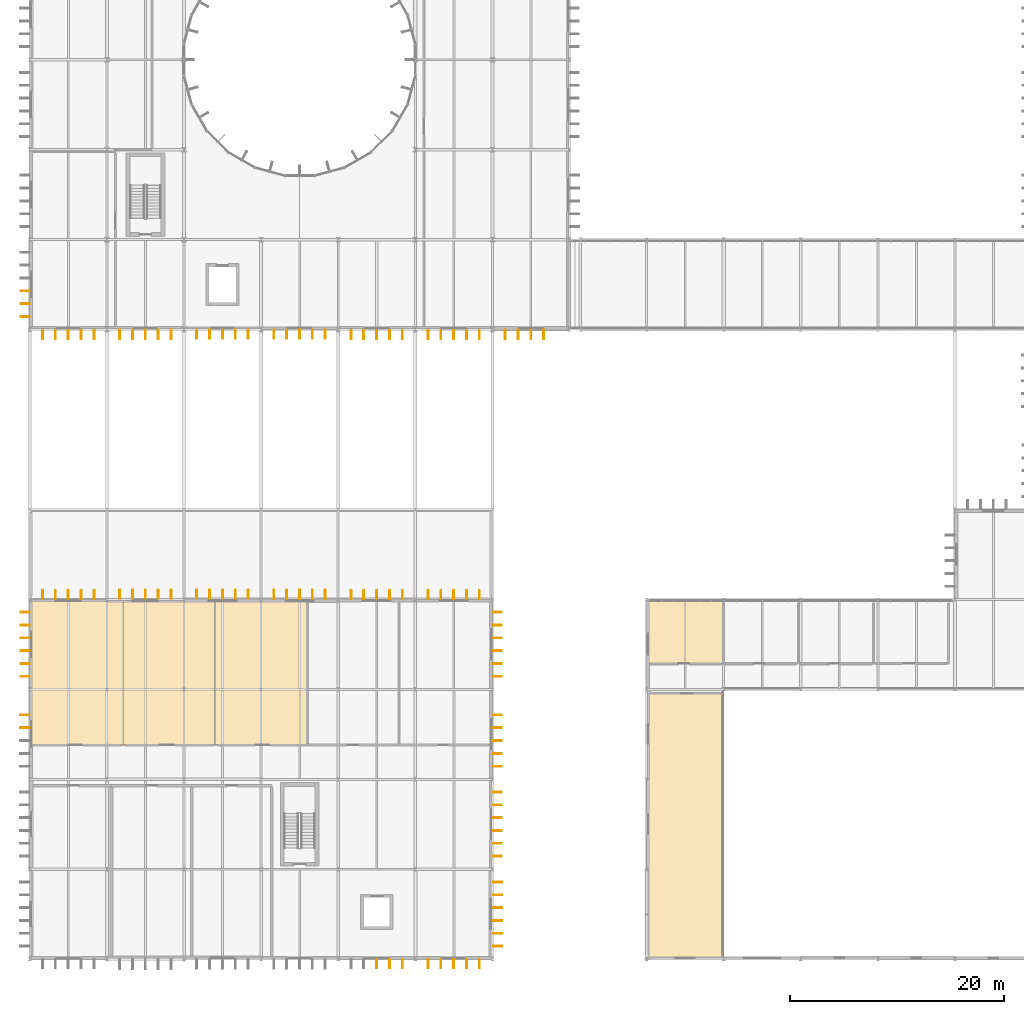
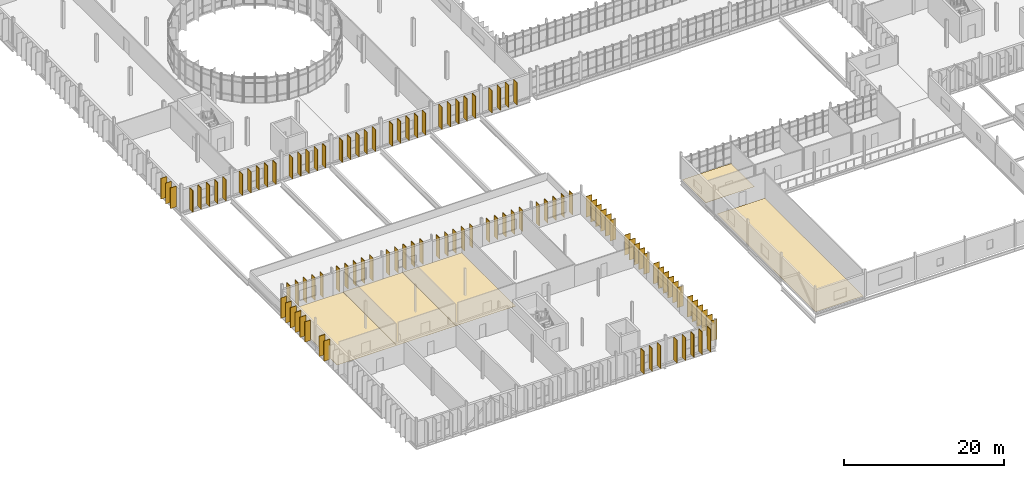
# One storey, part 105 of 119: 106 shading devices, 5 coverings.
"""IFC4 building model written with IfcOpenShell, lengths in metres."""

from ifc_helpers import new_model, si_unit, direction, frame, origin, origin_2d, place, context, subcontext, project, spatial, polyline, rectangle, outline, extrude, material, layer, layer_set, type_object, element, save


model = new_model("IFC4")

# Units and contexts
model_context = context("Model", 3, precision=1e-05, world=origin(), true_north=direction((0.0, 1.0)))
body_context = subcontext(model_context, "Body", "Model", "MODEL_VIEW")
ifc_project = project(units=[si_unit("LENGTHUNIT", "METRE"), si_unit("AREAUNIT", "SQUARE_METRE"), si_unit("VOLUMEUNIT", "CUBIC_METRE"), si_unit("PLANEANGLEUNIT", "RADIAN"), si_unit("MASSUNIT", "GRAM", prefix="KILO")], contexts=[model_context])

# Site, building, storey
site_placement = place(None, origin())
site = spatial("IfcSite", under=ifc_project, at=site_placement, CompositionType="ELEMENT")
building_placement = place(site_placement, origin())
building = spatial("IfcBuilding", under=site, at=building_placement, Name="Qelthora Terrace Specialist Clinic", CompositionType="ELEMENT")
storey_placement = place(building_placement, frame((0.0, 0.0, 4.800048828125)))
storey = spatial("IfcBuildingStorey", under=building, at=storey_placement, Name="L01", CompositionType="ELEMENT", Elevation=4.800048828125)

# Coverings
ifc_material_1 = material(Name="Antimicrobial clinical linoleum flooring", Category="other")
ifc_layer = layer(ifc_material_1, 0.011962890625)
ifc_layer_set = layer_set([ifc_layer], Name="Antimicrobial clinical linoleum flooring")
covering_type = type_object("IfcCoveringType", Name="COV-FLR-LINO-12", PredefinedType="FLOORING", material=ifc_layer_set)
covering_1_placement = place(storey_placement, origin())
element("IfcCovering", 1, at=covering_1_placement, inside=storey, type_object=covering_type, Name="Infusion Observation Gallery L01-01 resilient linoleum flooring", PredefinedType="FLOORING", context=body_context, shape_type="SweptSolid", body=[
    extrude(outline(polyline([(64.64990234375, 0.14990234375), (57.75, 0.14990234375), (57.75, 24.800048828125), (64.64990234375, 24.800048828125), (64.64990234375, 0.14990234375)])), origin(), (0.0, 0.0, 1.0), 0.011962890625),
])
covering_2_placement = place(storey_placement, origin())
element("IfcCovering", 2, at=covering_2_placement, inside=storey, type_object=covering_type, Name="Oncology Counseling Room L01-02 resilient linoleum flooring", PredefinedType="FLOORING", context=body_context, shape_type="SweptSolid", body=[
    extrude(outline(polyline([(57.75, 27.60009765625), (57.75, 33.449951171875), (64.762451171875, 33.449951171875), (64.762451171875, 27.60009765625), (57.75, 27.60009765625)])), origin(), (0.0, 0.0, 1.0), 0.011962890625),
])
covering_3_placement = place(storey_placement, origin())
element("IfcCovering", 3, at=covering_3_placement, inside=storey, type_object=covering_type, Name="Vascular Diagnostics Lab L01-14 resilient linoleum flooring", PredefinedType="FLOORING", context=body_context, shape_type="SweptSolid", body=[
    extrude(outline(polyline([(8.72998046875, 33.449951171875), (8.72998046875, 20.0), (0.1298828125, 20.0), (0.1298828125, 33.449951171875), (8.72998046875, 33.449951171875)])), origin(), (0.0, 0.0, 1.0), 0.011962890625),
])
covering_4_placement = place(storey_placement, origin())
element("IfcCovering", 4, at=covering_4_placement, inside=storey, type_object=covering_type, Name="Biopsy Procedure Suite L01-15 resilient linoleum flooring", PredefinedType="FLOORING", context=body_context, shape_type="SweptSolid", body=[
    extrude(outline(polyline([(17.31005859375, 33.469970703125), (17.31005859375, 20.0), (8.735107421875, 20.0), (8.735107421875, 33.469970703125), (17.31005859375, 33.469970703125)])), origin(), (0.0, 0.0, 1.0), 0.011962890625),
])
covering_5_placement = place(storey_placement, origin())
element("IfcCovering", 5, at=covering_5_placement, inside=storey, type_object=covering_type, Name="Imaging Holding Bays L01-16 resilient linoleum flooring", PredefinedType="FLOORING", context=body_context, shape_type="SweptSolid", body=[
    extrude(outline(polyline([(25.889892578125, 20.0), (17.31494140625, 20.0), (17.31494140625, 33.469970703125), (25.889892578125, 33.469970703125), (25.889892578125, 20.0)])), origin(), (0.0, 0.0, 1.0), 0.011962890625),
])

# Shading devices
ifc_material_2 = material(Name="Glulam timber GL28h", Category="wood")
shading_device_type = type_object("IfcShadingDeviceType", Name="SHD-FIN-850", PredefinedType="USERDEFINED", material=ifc_material_2)
for number, where, z_axis, x_axis, name in (
    (6, (1.199951171875, 58.3349609375, 0.0), (0.0, 0.0, 1.0), (0.0, -1.0, 0.0), "Exterior solar shading fin FIN-0635"),
    (7, (2.39990234375, 58.3349609375, 0.0), (0.0, 0.0, 1.0), (0.0, -1.0, 0.0), "Exterior solar shading fin FIN-0636"),
    (8, (3.60009765625, 58.3349609375, 0.0), (0.0, 0.0, 1.0), (0.0, -1.0, 0.0), "Exterior solar shading fin FIN-0637"),
    (9, (4.800048828125, 58.3349609375, 0.0), (0.0, 0.0, 1.0), (0.0, -1.0, 0.0), "Exterior solar shading fin FIN-0638"),
    (10, (6.0, 58.3349609375, 0.0), (0.0, 0.0, 1.0), (0.0, -1.0, 0.0), "Exterior solar shading fin FIN-0639"),
    (11, (8.39990234375, 58.344970703125, 0.0), (0.0, 0.0, 1.0), (0.0, -1.0, 0.0), "Exterior solar shading fin FIN-0640"),
    (12, (9.60009765625, 58.344970703125, 0.0), (0.0, 0.0, 1.0), (0.0, -1.0, 0.0), "Exterior solar shading fin FIN-0641"),
    (13, (10.800048828125, 58.344970703125, 0.0), (0.0, 0.0, 1.0), (0.0, -1.0, 0.0), "Exterior solar shading fin FIN-0642"),
    (14, (12.0, 58.344970703125, 0.0), (0.0, 0.0, 1.0), (0.0, -1.0, 0.0), "Exterior solar shading fin FIN-0643"),
    (15, (13.199951171875, 58.344970703125, 0.0), (0.0, 0.0, 1.0), (0.0, -1.0, 0.0), "Exterior solar shading fin FIN-0644"),
    (16, (15.60009765625, 58.35498046875, 0.0), (0.0, 0.0, 1.0), (0.0, -1.0, 0.0), "Exterior solar shading fin FIN-0645"),
    (17, (16.800048828125, 58.35498046875, 0.0), (0.0, 0.0, 1.0), (0.0, -1.0, 0.0), "Exterior solar shading fin FIN-0646"),
    (18, (18.0, 58.35498046875, 0.0), (0.0, 0.0, 1.0), (0.0, -1.0, 0.0), "Exterior solar shading fin FIN-0647"),
    (19, (19.199951171875, 58.35498046875, 0.0), (0.0, 0.0, 1.0), (0.0, -1.0, 0.0), "Exterior solar shading fin FIN-0648"),
    (20, (20.39990234375, 58.35498046875, 0.0), (0.0, 0.0, 1.0), (0.0, -1.0, 0.0), "Exterior solar shading fin FIN-0649"),
):
    element("IfcShadingDevice", number, at=place(storey_placement, frame(where, z_axis=z_axis, x_axis=x_axis)), inside=storey, type_object=shading_device_type, Name=name, ObjectType="FIN", PredefinedType="USERDEFINED", context=body_context, shape_type="SweptSolid", body=[
        extrude(rectangle(XDim=0.85009765625, YDim=0.080078125, at=origin_2d()), origin(), (0.0, 0.0, 1.0), 3.25390625),
    ])
for number, where, z_axis, x_axis, name in (
    (21, (22.800048828125, 58.364990234375, 0.0), (0.0, 0.0, 1.0), (0.0, -1.0, 0.0), "Exterior solar shading fin FIN-0650"),
    (22, (24.0, 58.364990234375, 0.0), (0.0, 0.0, 1.0), (0.0, -1.0, 0.0), "Exterior solar shading fin FIN-0651"),
    (23, (25.199951171875, 58.364990234375, 0.0), (0.0, 0.0, 1.0), (0.0, -1.0, 0.0), "Exterior solar shading fin FIN-0652"),
    (24, (26.39990234375, 58.364990234375, 0.0), (0.0, 0.0, 1.0), (0.0, -1.0, 0.0), "Exterior solar shading fin FIN-0653"),
    (25, (27.60009765625, 58.364990234375, 0.0), (0.0, 0.0, 1.0), (0.0, -1.0, 0.0), "Exterior solar shading fin FIN-0654"),
):
    element("IfcShadingDevice", number, at=place(storey_placement, frame(where, z_axis=z_axis, x_axis=x_axis)), inside=storey, type_object=shading_device_type, Name=name, ObjectType="FIN", PredefinedType="USERDEFINED", context=body_context, shape_type="SweptSolid", body=[
        extrude(rectangle(XDim=0.85009765625, YDim=0.080078125, at=origin_2d()), origin(), (0.0, 0.0, 1.0), 3.324951171875),
    ])
for number, where, z_axis, x_axis, name in (
    (26, (30.0, 58.304931640625, 0.0), (0.0, 0.0, 1.0), (0.0, -1.0, 0.0), "Exterior solar shading fin FIN-0655"),
    (27, (31.199951171875, 58.304931640625, 0.0), (0.0, 0.0, 1.0), (0.0, -1.0, 0.0), "Exterior solar shading fin FIN-0656"),
    (28, (32.39990234375, 58.304931640625, 0.0), (0.0, 0.0, 1.0), (0.0, -1.0, 0.0), "Exterior solar shading fin FIN-0657"),
    (29, (33.60009765625, 58.304931640625, 0.0), (0.0, 0.0, 1.0), (0.0, -1.0, 0.0), "Exterior solar shading fin FIN-0658"),
    (30, (34.800048828125, 58.304931640625, 0.0), (0.0, 0.0, 1.0), (0.0, -1.0, 0.0), "Exterior solar shading fin FIN-0659"),
):
    element("IfcShadingDevice", number, at=place(storey_placement, frame(where, z_axis=z_axis, x_axis=x_axis)), inside=storey, type_object=shading_device_type, Name=name, ObjectType="FIN", PredefinedType="USERDEFINED", context=body_context, shape_type="SweptSolid", body=[
        extrude(rectangle(XDim=0.85009765625, YDim=0.080078125, at=origin_2d()), origin(), (0.0, 0.0, 1.0), 3.330078125),
    ])
for number, where, z_axis, x_axis, name in (
    (31, (37.199951171875, 58.3349609375, 0.0), (0.0, 0.0, 1.0), (0.0, -1.0, 0.0), "Exterior solar shading fin FIN-0660"),
    (32, (38.39990234375, 58.3349609375, 0.0), (0.0, 0.0, 1.0), (0.0, -1.0, 0.0), "Exterior solar shading fin FIN-0661"),
    (33, (39.60009765625, 58.3349609375, 0.0), (0.0, 0.0, 1.0), (0.0, -1.0, 0.0), "Exterior solar shading fin FIN-0662"),
    (34, (40.800048828125, 58.3349609375, 0.0), (0.0, 0.0, 1.0), (0.0, -1.0, 0.0), "Exterior solar shading fin FIN-0663"),
    (35, (42.0, 58.3349609375, 0.0), (0.0, 0.0, 1.0), (0.0, -1.0, 0.0), "Exterior solar shading fin FIN-0664"),
):
    element("IfcShadingDevice", number, at=place(storey_placement, frame(where, z_axis=z_axis, x_axis=x_axis)), inside=storey, type_object=shading_device_type, Name=name, ObjectType="FIN", PredefinedType="USERDEFINED", context=body_context, shape_type="SweptSolid", body=[
        extrude(rectangle(XDim=0.85009765625, YDim=0.080078125, at=origin_2d()), origin(), (0.0, 0.0, 1.0), 3.39794921875),
    ])
for number, where, z_axis, x_axis, name in (
    (36, (44.39990234375, 58.344970703125, 0.0), (0.0, 0.0, 1.0), (0.0, -1.0, 0.0), "Exterior solar shading fin FIN-0665"),
    (37, (45.60009765625, 58.344970703125, 0.0), (0.0, 0.0, 1.0), (0.0, -1.0, 0.0), "Exterior solar shading fin FIN-0666"),
    (38, (46.800048828125, 58.344970703125, 0.0), (0.0, 0.0, 1.0), (0.0, -1.0, 0.0), "Exterior solar shading fin FIN-0667"),
    (39, (48.0, 58.344970703125, 0.0), (0.0, 0.0, 1.0), (0.0, -1.0, 0.0), "Exterior solar shading fin FIN-0668"),
):
    element("IfcShadingDevice", number, at=place(storey_placement, frame(where, z_axis=z_axis, x_axis=x_axis)), inside=storey, type_object=shading_device_type, Name=name, ObjectType="FIN", PredefinedType="USERDEFINED", context=body_context, shape_type="SweptSolid", body=[
        extrude(rectangle(XDim=0.85009765625, YDim=0.080078125, at=origin_2d()), origin(), (0.0, 0.0, 1.0), 3.405029296875),
    ])
for number, where, z_axis, x_axis, name in (
    (40, (-0.445068359375, 60.0, 0.0), (0.0, 0.0, 1.0), (-1.0, 0.0, 0.0), "Exterior solar shading fin FIN-0669"),
    (41, (-0.445068359375, 61.199951171875, 0.0), (0.0, 0.0, 1.0), (-1.0, 0.0, 0.0), "Exterior solar shading fin FIN-0670"),
    (42, (-0.445068359375, 62.39990234375, 0.0), (0.0, 0.0, 1.0), (-1.0, 0.0, 0.0), "Exterior solar shading fin FIN-0671"),
):
    element("IfcShadingDevice", number, at=place(storey_placement, frame(where, z_axis=z_axis, x_axis=x_axis)), inside=storey, type_object=shading_device_type, Name=name, ObjectType="FIN", PredefinedType="USERDEFINED", context=body_context, shape_type="SweptSolid", body=[
        extrude(rectangle(XDim=0.85009765625, YDim=0.080078125, at=origin_2d()), origin(), (0.0, 0.0, 1.0), 3.172119140625),
    ])
for number, where, z_axis, x_axis, name in (
    (43, (32.39990234375, -0.445068359375, 0.0), (0.0, 0.0, 1.0), (0.0, -1.0, 0.0), "Exterior solar shading fin FIN-0994"),
    (44, (33.60009765625, -0.445068359375, 0.0), (0.0, 0.0, 1.0), (0.0, -1.0, 0.0), "Exterior solar shading fin FIN-0995"),
    (45, (34.800048828125, -0.445068359375, 0.0), (0.0, 0.0, 1.0), (0.0, -1.0, 0.0), "Exterior solar shading fin FIN-0996"),
    (46, (37.199951171875, -0.43505859375, 0.0), (0.0, 0.0, 1.0), (0.0, -1.0, 0.0), "Exterior solar shading fin FIN-0997"),
    (47, (38.39990234375, -0.43505859375, 0.0), (0.0, 0.0, 1.0), (0.0, -1.0, 0.0), "Exterior solar shading fin FIN-0998"),
    (48, (39.60009765625, -0.43505859375, 0.0), (0.0, 0.0, 1.0), (0.0, -1.0, 0.0), "Exterior solar shading fin FIN-0999"),
    (49, (40.800048828125, -0.43505859375, 0.0), (0.0, 0.0, 1.0), (0.0, -1.0, 0.0), "Exterior solar shading fin FIN-1000"),
    (50, (42.0, -0.43505859375, 0.0), (0.0, 0.0, 1.0), (0.0, -1.0, 0.0), "Exterior solar shading fin FIN-1001"),
):
    element("IfcShadingDevice", number, at=place(storey_placement, frame(where, z_axis=z_axis, x_axis=x_axis)), inside=storey, type_object=shading_device_type, Name=name, ObjectType="FIN", PredefinedType="USERDEFINED", context=body_context, shape_type="SweptSolid", body=[
        extrude(rectangle(XDim=0.85009765625, YDim=0.080078125, at=origin_2d()), origin(), (0.0, 0.0, 1.0), 3.47802734375),
    ])
for number, where, z_axis, x_axis, name in (
    (51, (-0.455078125, 21.60009765625, 0.0), (0.0, 0.0, 1.0), (-1.0, 0.0, 0.0), "Exterior solar shading fin FIN-1017"),
    (52, (-0.455078125, 22.800048828125, 0.0), (0.0, 0.0, 1.0), (-1.0, 0.0, 0.0), "Exterior solar shading fin FIN-1018"),
    (53, (-0.445068359375, 26.39990234375, 0.0), (0.0, 0.0, 1.0), (-1.0, 0.0, 0.0), "Exterior solar shading fin FIN-1019"),
    (54, (-0.445068359375, 27.60009765625, 0.0), (0.0, 0.0, 1.0), (-1.0, 0.0, 0.0), "Exterior solar shading fin FIN-1020"),
    (55, (-0.445068359375, 28.800048828125, 0.0), (0.0, 0.0, 1.0), (-1.0, 0.0, 0.0), "Exterior solar shading fin FIN-1021"),
    (56, (-0.445068359375, 30.0, 0.0), (0.0, 0.0, 1.0), (-1.0, 0.0, 0.0), "Exterior solar shading fin FIN-1022"),
    (57, (-0.445068359375, 31.199951171875, 0.0), (0.0, 0.0, 1.0), (-1.0, 0.0, 0.0), "Exterior solar shading fin FIN-1023"),
    (58, (-0.445068359375, 32.39990234375, 0.0), (0.0, 0.0, 1.0), (-1.0, 0.0, 0.0), "Exterior solar shading fin FIN-1024"),
):
    element("IfcShadingDevice", number, at=place(storey_placement, frame(where, z_axis=z_axis, x_axis=x_axis)), inside=storey, type_object=shading_device_type, Name=name, ObjectType="FIN", PredefinedType="USERDEFINED", context=body_context, shape_type="SweptSolid", body=[
        extrude(rectangle(XDim=0.85009765625, YDim=0.080078125, at=origin_2d()), origin(), (0.0, 0.0, 1.0), 3.091064453125),
    ])
for number, where, z_axis, x_axis, name in (
    (59, (1.199951171875, 34.034912109375, 0.0), (0.0, 0.0, 1.0), (0.0, 1.0, 0.0), "Exterior solar shading fin FIN-1025"),
    (60, (2.39990234375, 34.034912109375, 0.0), (0.0, 0.0, 1.0), (0.0, 1.0, 0.0), "Exterior solar shading fin FIN-1026"),
    (61, (3.60009765625, 34.034912109375, 0.0), (0.0, 0.0, 1.0), (0.0, 1.0, 0.0), "Exterior solar shading fin FIN-1027"),
    (62, (4.800048828125, 34.034912109375, 0.0), (0.0, 0.0, 1.0), (0.0, 1.0, 0.0), "Exterior solar shading fin FIN-1028"),
    (63, (6.0, 34.034912109375, 0.0), (0.0, 0.0, 1.0), (0.0, 1.0, 0.0), "Exterior solar shading fin FIN-1029"),
    (64, (8.39990234375, 34.094970703125, 0.0), (0.0, 0.0, 1.0), (0.0, 1.0, 0.0), "Exterior solar shading fin FIN-1030"),
    (65, (9.60009765625, 34.094970703125, 0.0), (0.0, 0.0, 1.0), (0.0, 1.0, 0.0), "Exterior solar shading fin FIN-1031"),
    (66, (10.800048828125, 34.094970703125, 0.0), (0.0, 0.0, 1.0), (0.0, 1.0, 0.0), "Exterior solar shading fin FIN-1032"),
    (67, (12.0, 34.094970703125, 0.0), (0.0, 0.0, 1.0), (0.0, 1.0, 0.0), "Exterior solar shading fin FIN-1033"),
    (68, (13.199951171875, 34.094970703125, 0.0), (0.0, 0.0, 1.0), (0.0, 1.0, 0.0), "Exterior solar shading fin FIN-1034"),
    (69, (15.60009765625, 34.06494140625, 0.0), (0.0, 0.0, 1.0), (0.0, 1.0, 0.0), "Exterior solar shading fin FIN-1035"),
    (70, (16.800048828125, 34.06494140625, 0.0), (0.0, 0.0, 1.0), (0.0, 1.0, 0.0), "Exterior solar shading fin FIN-1036"),
    (71, (18.0, 34.06494140625, 0.0), (0.0, 0.0, 1.0), (0.0, 1.0, 0.0), "Exterior solar shading fin FIN-1037"),
    (72, (19.199951171875, 34.06494140625, 0.0), (0.0, 0.0, 1.0), (0.0, 1.0, 0.0), "Exterior solar shading fin FIN-1038"),
    (73, (20.39990234375, 34.06494140625, 0.0), (0.0, 0.0, 1.0), (0.0, 1.0, 0.0), "Exterior solar shading fin FIN-1039"),
):
    element("IfcShadingDevice", number, at=place(storey_placement, frame(where, z_axis=z_axis, x_axis=x_axis)), inside=storey, type_object=shading_device_type, Name=name, ObjectType="FIN", PredefinedType="USERDEFINED", context=body_context, shape_type="SweptSolid", body=[
        extrude(rectangle(XDim=0.85009765625, YDim=0.080078125, at=origin_2d()), origin(), (0.0, 0.0, 1.0), 3.48193359375),
    ])
for number, where, z_axis, x_axis, name in (
    (74, (22.800048828125, 34.054931640625, 0.0), (0.0, 0.0, 1.0), (0.0, 1.0, 0.0), "Exterior solar shading fin FIN-1040"),
    (75, (24.0, 34.054931640625, 0.0), (0.0, 0.0, 1.0), (0.0, 1.0, 0.0), "Exterior solar shading fin FIN-1041"),
    (76, (25.199951171875, 34.054931640625, 0.0), (0.0, 0.0, 1.0), (0.0, 1.0, 0.0), "Exterior solar shading fin FIN-1042"),
    (77, (26.39990234375, 34.054931640625, 0.0), (0.0, 0.0, 1.0), (0.0, 1.0, 0.0), "Exterior solar shading fin FIN-1043"),
    (78, (27.60009765625, 34.054931640625, 0.0), (0.0, 0.0, 1.0), (0.0, 1.0, 0.0), "Exterior solar shading fin FIN-1044"),
    (79, (30.0, 34.044921875, 0.0), (0.0, 0.0, 1.0), (0.0, 1.0, 0.0), "Exterior solar shading fin FIN-1045"),
    (80, (31.199951171875, 34.044921875, 0.0), (0.0, 0.0, 1.0), (0.0, 1.0, 0.0), "Exterior solar shading fin FIN-1046"),
    (81, (32.39990234375, 34.044921875, 0.0), (0.0, 0.0, 1.0), (0.0, 1.0, 0.0), "Exterior solar shading fin FIN-1047"),
    (82, (33.60009765625, 34.044921875, 0.0), (0.0, 0.0, 1.0), (0.0, 1.0, 0.0), "Exterior solar shading fin FIN-1048"),
    (83, (34.800048828125, 34.044921875, 0.0), (0.0, 0.0, 1.0), (0.0, 1.0, 0.0), "Exterior solar shading fin FIN-1049"),
    (84, (37.199951171875, 34.034912109375, 0.0), (0.0, 0.0, 1.0), (0.0, 1.0, 0.0), "Exterior solar shading fin FIN-1050"),
    (85, (38.39990234375, 34.034912109375, 0.0), (0.0, 0.0, 1.0), (0.0, 1.0, 0.0), "Exterior solar shading fin FIN-1051"),
    (86, (39.60009765625, 34.034912109375, 0.0), (0.0, 0.0, 1.0), (0.0, 1.0, 0.0), "Exterior solar shading fin FIN-1052"),
    (87, (40.800048828125, 34.034912109375, 0.0), (0.0, 0.0, 1.0), (0.0, 1.0, 0.0), "Exterior solar shading fin FIN-1053"),
    (88, (42.0, 34.034912109375, 0.0), (0.0, 0.0, 1.0), (0.0, 1.0, 0.0), "Exterior solar shading fin FIN-1054"),
):
    element("IfcShadingDevice", number, at=place(storey_placement, frame(where, z_axis=z_axis, x_axis=x_axis)), inside=storey, type_object=shading_device_type, Name=name, ObjectType="FIN", PredefinedType="USERDEFINED", context=body_context, shape_type="SweptSolid", body=[
        extrude(rectangle(XDim=0.85009765625, YDim=0.080078125, at=origin_2d()), origin(), (0.0, 0.0, 1.0), 3.2451171875),
    ])
for number, where, z_axis, x_axis, name in (
    (89, (43.695068359375, 1.199951171875, 0.0), (0.0, 0.0, 1.0), (1.0, 0.0, 0.0), "Exterior solar shading fin FIN-1055"),
    (90, (43.695068359375, 2.39990234375, 0.0), (0.0, 0.0, 1.0), (1.0, 0.0, 0.0), "Exterior solar shading fin FIN-1056"),
    (91, (43.695068359375, 3.60009765625, 0.0), (0.0, 0.0, 1.0), (1.0, 0.0, 0.0), "Exterior solar shading fin FIN-1057"),
    (92, (43.695068359375, 4.800048828125, 0.0), (0.0, 0.0, 1.0), (1.0, 0.0, 0.0), "Exterior solar shading fin FIN-1058"),
    (93, (43.695068359375, 6.0, 0.0), (0.0, 0.0, 1.0), (1.0, 0.0, 0.0), "Exterior solar shading fin FIN-1059"),
    (94, (43.695068359375, 7.199951171875, 0.0), (0.0, 0.0, 1.0), (1.0, 0.0, 0.0), "Exterior solar shading fin FIN-1060"),
    (95, (43.6650390625, 9.60009765625, 0.0), (0.0, 0.0, 1.0), (1.0, 0.0, 0.0), "Exterior solar shading fin FIN-1061"),
    (96, (43.6650390625, 10.800048828125, 0.0), (0.0, 0.0, 1.0), (1.0, 0.0, 0.0), "Exterior solar shading fin FIN-1062"),
    (97, (43.6650390625, 12.0, 0.0), (0.0, 0.0, 1.0), (1.0, 0.0, 0.0), "Exterior solar shading fin FIN-1063"),
    (98, (43.6650390625, 13.199951171875, 0.0), (0.0, 0.0, 1.0), (1.0, 0.0, 0.0), "Exterior solar shading fin FIN-1064"),
    (99, (43.6650390625, 14.39990234375, 0.0), (0.0, 0.0, 1.0), (1.0, 0.0, 0.0), "Exterior solar shading fin FIN-1065"),
    (100, (43.6650390625, 15.60009765625, 0.0), (0.0, 0.0, 1.0), (1.0, 0.0, 0.0), "Exterior solar shading fin FIN-1066"),
    (101, (43.655029296875, 18.0, 0.0), (0.0, 0.0, 1.0), (1.0, 0.0, 0.0), "Exterior solar shading fin FIN-1067"),
    (102, (43.655029296875, 19.199951171875, 0.0), (0.0, 0.0, 1.0), (1.0, 0.0, 0.0), "Exterior solar shading fin FIN-1068"),
    (103, (43.655029296875, 20.39990234375, 0.0), (0.0, 0.0, 1.0), (1.0, 0.0, 0.0), "Exterior solar shading fin FIN-1069"),
    (104, (43.655029296875, 21.60009765625, 0.0), (0.0, 0.0, 1.0), (1.0, 0.0, 0.0), "Exterior solar shading fin FIN-1070"),
    (105, (43.655029296875, 22.800048828125, 0.0), (0.0, 0.0, 1.0), (1.0, 0.0, 0.0), "Exterior solar shading fin FIN-1071"),
):
    element("IfcShadingDevice", number, at=place(storey_placement, frame(where, z_axis=z_axis, x_axis=x_axis)), inside=storey, type_object=shading_device_type, Name=name, ObjectType="FIN", PredefinedType="USERDEFINED", context=body_context, shape_type="SweptSolid", body=[
        extrude(rectangle(XDim=0.85009765625, YDim=0.080078125, at=origin_2d()), origin(), (0.0, 0.0, 1.0), 3.0869140625),
    ])
for number, where, z_axis, x_axis, name in (
    (106, (43.64501953125, 26.39990234375, 0.0), (0.0, 0.0, 1.0), (1.0, 0.0, 0.0), "Exterior solar shading fin FIN-1072"),
    (107, (43.64501953125, 27.60009765625, 0.0), (0.0, 0.0, 1.0), (1.0, 0.0, 0.0), "Exterior solar shading fin FIN-1073"),
    (108, (43.64501953125, 28.800048828125, 0.0), (0.0, 0.0, 1.0), (1.0, 0.0, 0.0), "Exterior solar shading fin FIN-1074"),
    (109, (43.64501953125, 30.0, 0.0), (0.0, 0.0, 1.0), (1.0, 0.0, 0.0), "Exterior solar shading fin FIN-1075"),
    (110, (43.64501953125, 31.199951171875, 0.0), (0.0, 0.0, 1.0), (1.0, 0.0, 0.0), "Exterior solar shading fin FIN-1076"),
    (111, (43.64501953125, 32.39990234375, 0.0), (0.0, 0.0, 1.0), (1.0, 0.0, 0.0), "Exterior solar shading fin FIN-1077"),
):
    element("IfcShadingDevice", number, at=place(storey_placement, frame(where, z_axis=z_axis, x_axis=x_axis)), inside=storey, type_object=shading_device_type, Name=name, ObjectType="FIN", PredefinedType="USERDEFINED", context=body_context, shape_type="SweptSolid", body=[
        extrude(rectangle(XDim=0.85009765625, YDim=0.080078125, at=origin_2d()), origin(), (0.0, 0.0, 1.0), 3.16796875),
    ])

save(model, "model.ifc")
